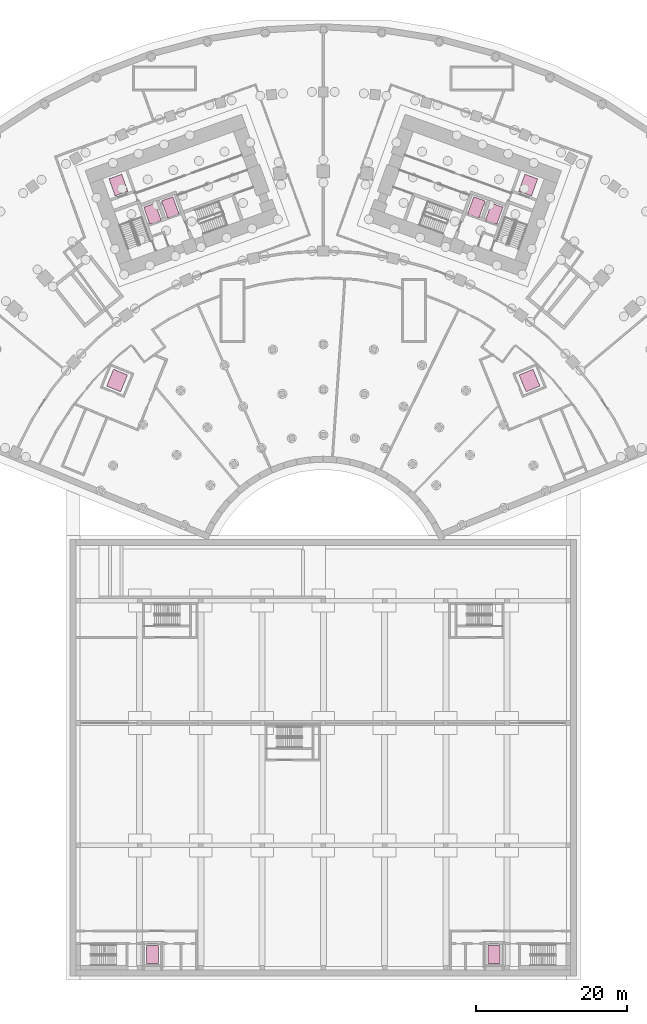
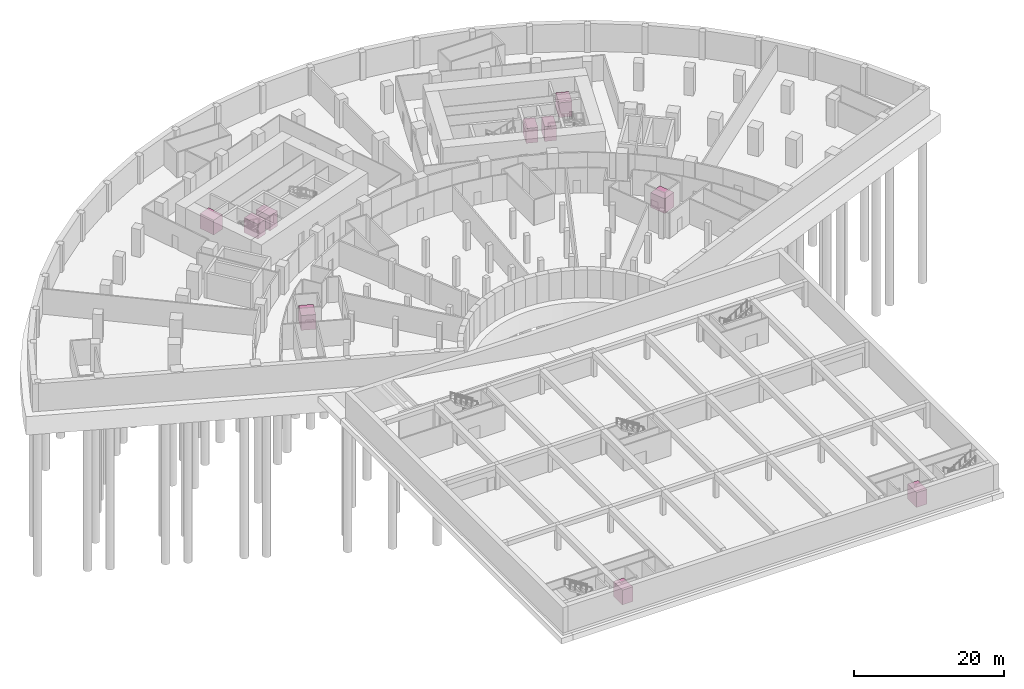
# One storey, part 25 of 25: 10 transport elements.
"""IFC4 building model written with IfcOpenShell, lengths in metres."""

from ifc_helpers import new_model, si_unit, direction, frame, origin, origin_2d, place, context, subcontext, project, spatial, rectangle, extrude, material, type_object, element, save


model = new_model("IFC4")

# Units and contexts
model_context = context("Model", 3, precision=1e-05, world=origin(), true_north=direction((0.0, 1.0)))
body_context = subcontext(model_context, "Body", "Model", "MODEL_VIEW")
ifc_project = project(units=[si_unit("LENGTHUNIT", "METRE"), si_unit("AREAUNIT", "SQUARE_METRE"), si_unit("VOLUMEUNIT", "CUBIC_METRE"), si_unit("PLANEANGLEUNIT", "RADIAN"), si_unit("MASSUNIT", "GRAM", prefix="KILO")], contexts=[model_context])

# Site, building, storey
site_placement = place(None, origin())
site = spatial("IfcSite", under=ifc_project, at=site_placement, CompositionType="ELEMENT")
building_placement = place(site_placement, origin())
building = spatial("IfcBuilding", under=site, at=building_placement, Name="Stone Belt Terrace Tower", CompositionType="ELEMENT")
storey_placement = place(building_placement, frame((0.0, 0.0, -13.5)))
storey = spatial("IfcBuildingStorey", under=building, at=storey_placement, Name="B3", CompositionType="ELEMENT", Elevation=-13.5)

# Transport elements
ifc_material_1 = material(Name="Stainless steel", Category="steel")
transport_element_type_1 = type_object("IfcTransportElementType", Name="Car park lift 1600 x 2400", PredefinedType="ELEVATOR", material=ifc_material_1)
for number, where, z_axis, x_axis, name in (
    (1, (-22.60009765625, -48.64990234375, 0.050048828125), (0.0, 0.0, 1.0), (1.0, 0.0, 0.0), "Car park lift 1"),
    (2, (22.60009765625, -48.64990234375, 0.050048828125), (0.0, 0.0, 1.0), (1.0, 0.0, 0.0), "Car park lift 2"),
):
    element("IfcTransportElement", number, at=place(storey_placement, frame(where, z_axis=z_axis, x_axis=x_axis)), inside=storey, type_object=transport_element_type_1, Name=name, PredefinedType="ELEVATOR", context=body_context, shape_type="SweptSolid", body=[
        extrude(rectangle(XDim=1.60009765625, YDim=2.39990234375, at=origin_2d()), origin(), (0.0, 0.0, 1.0), 2.39990234375),
    ])
ifc_material_2 = material(Name="Stainless steel 316", Category="steel")
transport_element_type_2 = type_object("IfcTransportElementType", Name="Fire-fighting lift car 1600x2400", PredefinedType="ELEVATOR", material=ifc_material_2)
for number, where, z_axis, x_axis, name in (
    (3, (-22.600830078125, 49.363037109375, 0.0), (0.0, 0.0, 1.0), (0.940921555566, 0.338624609665, 0.0), "FF1A"),
    (4, (-20.24853515625, 50.209716796875, 0.0), (0.0, 0.0, 1.0), (0.940921555566, 0.338624609665, 0.0), "FF2A"),
    (5, (22.600830078125, 49.363037109375, 0.0), (0.0, 0.0, 1.0), (-0.940921555566, 0.338624609665, 0.0), "FF1B"),
    (6, (20.24853515625, 50.209716796875, 0.0), (0.0, 0.0, 1.0), (-0.940921555566, 0.338624609665, 0.0), "FF2B"),
):
    element("IfcTransportElement", number, at=place(storey_placement, frame(where, z_axis=z_axis, x_axis=x_axis)), inside=storey, type_object=transport_element_type_2, Name=name, PredefinedType="ELEVATOR", context=body_context, shape_type="SweptSolid", body=[
        extrude(rectangle(XDim=1.60009765625, YDim=2.39990234375, at=origin_2d()), origin(), (0.0, 0.0, 1.0), 2.39990234375),
    ])
ifc_material_3 = material(Name="Stainless steel lift car", Category="steel")
transport_element_type_3 = type_object("IfcTransportElementType", Name="Podium goods and service lift 2000 x 2400", PredefinedType="ELEVATOR", material=ifc_material_3)
for number, where, z_axis, x_axis, name in (
    (7, (-27.281982421875, 27.306884765625, 0.150146484375), (0.0, 0.0, 1.0), (0.379246226337, 0.925295790442, 0.0), "Goods lift"),
    (8, (27.281982421875, 27.306884765625, 0.150146484375), (0.0, 0.0, 1.0), (-0.379246226337, 0.925295790442, 0.0), "Podium service lift"),
):
    element("IfcTransportElement", number, at=place(storey_placement, frame(where, z_axis=z_axis, x_axis=x_axis)), inside=storey, type_object=transport_element_type_3, Name=name, PredefinedType="ELEVATOR", context=body_context, shape_type="SweptSolid", body=[
        extrude(rectangle(XDim=2.39990234375, YDim=2.0, at=origin_2d()), origin(), (0.0, 0.0, 1.0), 2.39990234375),
    ])
transport_element_type_4 = type_object("IfcTransportElementType", Name="Service lift car 1800x2400", PredefinedType="ELEVATOR", material=ifc_material_2)
for number, where, z_axis, x_axis, name in (
    (9, (-27.103515625, 53.162841796875, 0.0), (0.0, 0.0, 1.0), (0.940921555566, 0.338624609665, 0.0), "SV1A"),
    (10, (27.103515625, 53.162841796875, 0.0), (0.0, 0.0, 1.0), (-0.940921555566, 0.338624609665, 0.0), "SV1B"),
):
    element("IfcTransportElement", number, at=place(storey_placement, frame(where, z_axis=z_axis, x_axis=x_axis)), inside=storey, type_object=transport_element_type_4, Name=name, PredefinedType="ELEVATOR", context=body_context, shape_type="SweptSolid", body=[
        extrude(rectangle(XDim=1.800048828125, YDim=2.39990234375, at=origin_2d()), origin(), (0.0, 0.0, 1.0), 2.39990234375),
    ])

save(model, "model.ifc")
